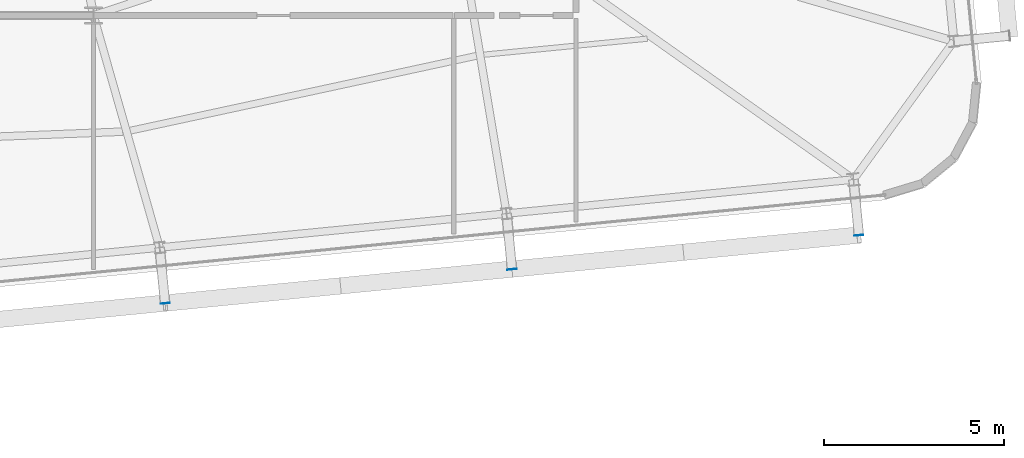
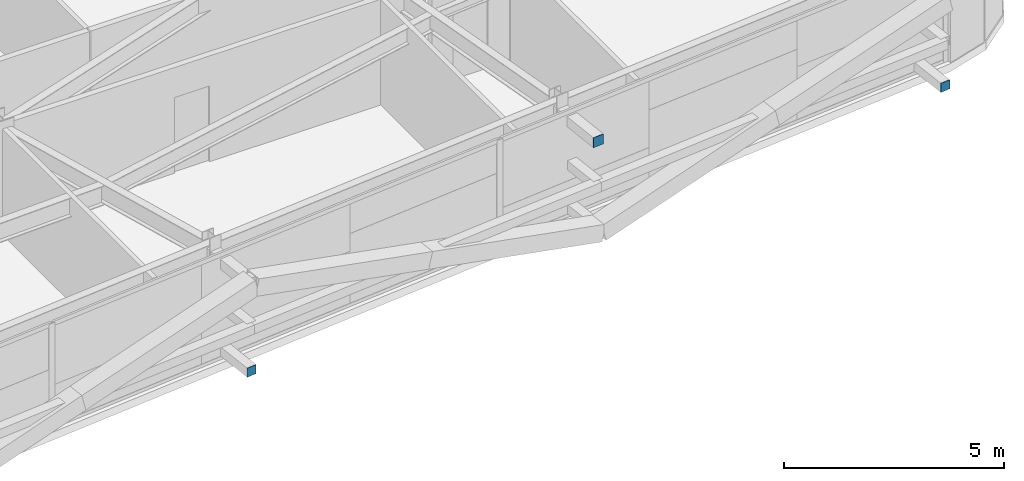
# One storey, part 36 of 47: 3 plates.
"""IFC4 building model written with IfcOpenShell, lengths in metres."""

import ifcopenshell
import ifcopenshell.guid

model = None  # the IFC model being written
_history = None  # IfcOwnerHistory: only IFC2X3 demands one
_inside = {}  # id of a spatial element -> (the spatial element, [elements in it])
_under = {}  # id of a project, library or spatial element -> (it, [spatial elements below it])
_declared = {}  # id of a project -> (the project, [libraries it declares])
_typed = {}  # id of a type object -> (the type object, [elements of that type])
_made_of = {}  # id of a material, layer set ... -> (it, [elements and type objects made of it])


def new_model(schema):
    """Start an empty IFC model of exactly this schema.

    Asked for "IFC4X3", IfcOpenShell would pick the latest addendum, in which some entities
    have other attributes; the version numbers below select the first issue.
    IFC2X3 requires an IfcOwnerHistory on every rooted entity: one is made here for all.
    """
    global model, _history
    if schema == "IFC4X3":
        model = ifcopenshell.file(schema_version=(4, 3, 0, 0))
    else:
        model = ifcopenshell.file(schema=schema)
    _inside.clear()
    _under.clear()
    _declared.clear()
    _typed.clear()
    _made_of.clear()
    _history = None
    if model.schema == "IFC2X3":
        org = make("IfcOrganization", Name="unknown")
        user = make(
            "IfcPersonAndOrganization",
            ThePerson=make("IfcPerson", FamilyName="unknown"),
            TheOrganization=org,
        )
        app = make(
            "IfcApplication",
            ApplicationDeveloper=org,
            Version="unknown",
            ApplicationFullName="unknown",
            ApplicationIdentifier="unknown",
        )
        _history = make(
            "IfcOwnerHistory",
            OwningUser=user,
            OwningApplication=app,
            ChangeAction="ADDED",
            CreationDate=0,
        )
    return model


def make(cls, **values):
    """One entity of the class cls with the attributes given. An attribute that is None is left unset."""
    return model.create_entity(
        cls, **{name: value for name, value in values.items() if value is not None}
    )


def rooted(cls, **values):
    """An entity with a GlobalId (a new one), such as an element, a storey or a relation."""
    return make(cls, GlobalId=ifcopenshell.guid.new(), OwnerHistory=_history, **values)


def si_unit(unit_type, name, prefix=None):
    """IfcSIUnit, for example si_unit("LENGTHUNIT", "METRE", prefix="MILLI")."""
    return make("IfcSIUnit", UnitType=unit_type, Prefix=prefix, Name=name)


def assignment(units):
    """IfcUnitAssignment: the units of a project."""
    return None if units is None else make("IfcUnitAssignment", Units=units)


def point(xyz):
    """IfcCartesianPoint."""
    return None if xyz is None else make("IfcCartesianPoint", Coordinates=xyz)


def direction(xyz):
    """IfcDirection."""
    return None if xyz is None else make("IfcDirection", DirectionRatios=xyz)


def frame(location, z_axis=None, x_axis=None):
    """IfcAxis2Placement3D, a coordinate frame: its origin and axes. An axis left out is left unset."""
    return make(
        "IfcAxis2Placement3D",
        Location=point(location),
        Axis=direction(z_axis),
        RefDirection=direction(x_axis),
    )


def frame_2d(location, x_axis=None):
    """IfcAxis2Placement2D, a coordinate frame in the plane: its origin and x axis."""
    return make(
        "IfcAxis2Placement2D", Location=point(location), RefDirection=direction(x_axis)
    )


def origin():
    """The frame at (0, 0, 0) with its axes left unset."""
    return frame((0.0, 0.0, 0.0))


def origin_2d():
    """The frame at (0, 0) in the plane with its x axis left unset."""
    return frame_2d((0.0, 0.0))


def place(relative_to, where):
    """IfcLocalPlacement: puts the frame where relative to a parent placement (None: the world)."""
    return make(
        "IfcLocalPlacement", PlacementRelTo=relative_to, RelativePlacement=where
    )


def context(
    kind, dimensions, precision=None, world=None, true_north=None, identifier=None
):
    """IfcGeometricRepresentationContext, for example the 3D "Model" context."""
    return make(
        "IfcGeometricRepresentationContext",
        ContextIdentifier=identifier,
        ContextType=kind,
        CoordinateSpaceDimension=dimensions,
        Precision=precision,
        WorldCoordinateSystem=world,
        TrueNorth=true_north,
    )


def subcontext(parent, identifier, kind, view, scale=None):
    """IfcGeometricRepresentationSubContext, for example "Body" below "Model"."""
    return make(
        "IfcGeometricRepresentationSubContext",
        ContextIdentifier=identifier,
        ContextType=kind,
        ParentContext=parent,
        TargetScale=scale,
        TargetView=view,
    )


def project(units=None, contexts=None):
    """IfcProject with its units and contexts."""
    return rooted(
        "IfcProject",
        Name="project",
        RepresentationContexts=contexts,
        UnitsInContext=assignment(units),
    )


def spatial(cls, under=None, at=None, **own):
    """A site, building, storey or space (cls), placed at a placement, below another one or the project."""
    s = rooted(cls, ObjectPlacement=at, **own)
    if under is not None:
        _under.setdefault(under.id(), (under, []))[1].append(s)
    return s


def profile(cls, at=None, kind="AREA", **sizes):
    """A parametric profile (cls). Its sizes go by their IFC names, for example OverallWidth=200.0."""
    return make(cls, ProfileType=kind, Position=at, **sizes)


def rectangle(**sizes):
    """IfcRectangleProfileDef."""
    return profile("IfcRectangleProfileDef", **sizes)


def extrude(swept, where, along, depth):
    """IfcExtrudedAreaSolid: the profile swept, set in the frame where, extruded along a direction by depth."""
    return make(
        "IfcExtrudedAreaSolid",
        SweptArea=swept,
        Position=where,
        ExtrudedDirection=direction(along),
        Depth=depth,
    )


def shape(context_of_items, identifier, shape_type, items):
    """IfcShapeRepresentation: the items that make up one representation, for example the "Body"."""
    return make(
        "IfcShapeRepresentation",
        ContextOfItems=context_of_items,
        RepresentationIdentifier=identifier,
        RepresentationType=shape_type,
        Items=items,
    )


def source(mapping_origin, context_of_items, identifier, shape_type, items):
    """IfcRepresentationMap: a shape defined once, which mapped items show again and again."""
    return make(
        "IfcRepresentationMap",
        MappingOrigin=mapping_origin,
        MappedRepresentation=shape(context_of_items, identifier, shape_type, items),
    )


def transform(
    local_origin,
    x_axis=None,
    y_axis=None,
    z_axis=None,
    scale=None,
    scale2=None,
    scale3=None,
    uniform=True,
):
    """IfcCartesianTransformationOperator3D, or its non-uniform kind. x_axis, y_axis, z_axis: its Axis1, 2, 3."""
    if uniform:
        return make(
            "IfcCartesianTransformationOperator3D",
            Axis1=direction(x_axis),
            Axis2=direction(y_axis),
            LocalOrigin=point(local_origin),
            Scale=scale,
            Axis3=direction(z_axis),
        )
    return make(
        "IfcCartesianTransformationOperator3DnonUniform",
        Axis1=direction(x_axis),
        Axis2=direction(y_axis),
        LocalOrigin=point(local_origin),
        Scale=scale,
        Axis3=direction(z_axis),
        Scale2=scale2,
        Scale3=scale3,
    )


def mapped(mapping_source, mapping_target):
    """IfcMappedItem: shows the shape of a source again, moved by a transform."""
    return make(
        "IfcMappedItem", MappingSource=mapping_source, MappingTarget=mapping_target
    )


def material(Name=None, Category=None):
    """IfcMaterial."""
    return make("IfcMaterial", Name=Name, Category=Category)


def layer(
    of_material, thickness, ventilated=None, Name=None, Category=None, Priority=None
):
    """IfcMaterialLayer: one layer of a wall or slab, of a material (None: an air gap)."""
    return make(
        "IfcMaterialLayer",
        Material=of_material,
        LayerThickness=thickness,
        IsVentilated=ventilated,
        Name=Name,
        Category=Category,
        Priority=Priority,
    )


def layer_set(layers, Name=None):
    """IfcMaterialLayerSet."""
    return make("IfcMaterialLayerSet", MaterialLayers=layers, LayerSetName=Name)


def made_of(thing, what):
    """Note that an element or type object is made of a material, layer set ...; save() writes the relation."""
    if what is not None:
        _made_of.setdefault(what.id(), (what, []))[1].append(thing)
    return thing


def type_object(cls, material=None, **own):
    """A type object (cls), such as IfcWallType, which elements share."""
    return made_of(rooted(cls, **own), material)


def element(
    cls,
    number,
    at=None,
    inside=None,
    cuts=None,
    type_object=None,
    material=None,
    context=None,
    identifier="Body",
    shape_type=None,
    held_by="IfcProductDefinitionShape",
    body=None,
    shapes=None,
    **own,
):
    """One element of the class cls, such as IfcWall. Its Tag is "e" and its number.

    at: its placement. inside: the storey or other place that contains it. cuts: it is an
    opening in that element (IfcRelVoidsElement). A single representation is given by context,
    identifier, shape_type and body (its items); several are given by shapes. held_by: the class
    of the entity that holds the representations. save() writes the other relations.
    """
    e = rooted(cls, Tag="e%d" % number, ObjectPlacement=at, **own)
    if body is not None:
        shapes = [shape(context, identifier, shape_type, body)]
    if shapes is not None:
        e.Representation = make(held_by, Representations=shapes)
    if inside is not None:
        _inside.setdefault(inside.id(), (inside, []))[1].append(e)
    if cuts is not None:
        rooted(
            "IfcRelVoidsElement", RelatingBuildingElement=cuts, RelatedOpeningElement=e
        )
    if type_object is not None:
        _typed.setdefault(type_object.id(), (type_object, []))[1].append(e)
    return made_of(e, material)


def aggregate(whole, parts):
    """IfcRelAggregates: a whole, such as a stair, and the parts it consists of."""
    return rooted("IfcRelAggregates", RelatingObject=whole, RelatedObjects=parts)


def save(model, path):
    """Write the relations noted so far, then the file.

    IfcRelAggregates (storeys below a building ...), IfcRelContainedInSpatialStructure (elements
    in a storey), IfcRelDefinesByType, IfcRelAssociatesMaterial and IfcRelDeclares: one each for
    every whole, place, type object, material and project.
    """
    for whole, parts in _under.values():
        aggregate(whole, parts)
    for where, things in _inside.values():
        rooted(
            "IfcRelContainedInSpatialStructure",
            RelatedElements=things,
            RelatingStructure=where,
        )
    for kind, things in _typed.values():
        rooted("IfcRelDefinesByType", RelatedObjects=things, RelatingType=kind)
    for what, things in _made_of.values():
        rooted("IfcRelAssociatesMaterial", RelatedObjects=things, RelatingMaterial=what)
    for by, libraries in _declared.values():
        rooted("IfcRelDeclares", RelatingContext=by, RelatedDefinitions=libraries)
    model.write(path)


model = new_model("IFC4")

# Units and contexts
model_context = context("Model", 3, precision=1e-05, world=origin(), true_north=direction((0.0, 1.0)))
body_context = subcontext(model_context, "Body", "Model", "MODEL_VIEW")
ifc_project = project(units=[si_unit("LENGTHUNIT", "METRE"), si_unit("AREAUNIT", "SQUARE_METRE"), si_unit("VOLUMEUNIT", "CUBIC_METRE"), si_unit("PLANEANGLEUNIT", "RADIAN"), si_unit("MASSUNIT", "GRAM", prefix="KILO")], contexts=[model_context])

# Site, building, storey
site_placement = place(None, origin())
site = spatial("IfcSite", under=ifc_project, at=site_placement, CompositionType="ELEMENT")
building_placement = place(site_placement, origin())
building = spatial("IfcBuilding", under=site, at=building_placement, Name="Taldren Reach Tower", CompositionType="ELEMENT")
storey_placement = place(building_placement, frame((0.0, 0.0, 106.050048828125)))
storey = spatial("IfcBuildingStorey", under=building, at=storey_placement, Name="L32", CompositionType="ELEMENT", Elevation=106.050048828125)

# Plates
ifc_material_1 = material(Name="Steel Gr 450 (C450L0)", Category="steel")
ifc_layer_1 = layer(ifc_material_1, 0.011962890625)
ifc_layer_set_1 = layer_set([ifc_layer_1], Name="Steel Gr 450 (C450L0)")
plate_type_1 = type_object("IfcPlateType", Name="PL-CAP-275", PredefinedType="SHEET", material=ifc_layer_set_1)
shared_shape_1 = source(origin(), body_context, "Body", "SweptSolid", [
    extrude(rectangle(XDim=0.27490234375, YDim=0.011962890625, at=origin_2d()), origin(), (0.0, 0.0, 1.0), 0.27490234375),
])
plate_placement = place(storey_placement, frame((53.62109375, 2.14990234375, 2.512451171875), z_axis=(0.0, 0.0, 1.0), x_axis=(0.995227399982, 0.097582899759, 0.0)))
element("IfcPlate", 1, at=plate_placement, inside=storey, type_object=plate_type_1, Name="Tie strut end cap plate B2-S5 L32", PredefinedType="SHEET", context=body_context, shape_type="MappedRepresentation", body=[
    mapped(shared_shape_1, transform((0.0, 0.0, 0.0), scale=1.0)),
])
ifc_material_2 = material(Name="Steel Gr 350 (C350L0)", Category="steel")
ifc_layer_2 = layer(ifc_material_2, 0.011962890625)
ifc_layer_set_2 = layer_set([ifc_layer_2], Name="Steel Gr 350 (C350L0)")
plate_type_2 = type_object("IfcPlateType", Name="PL-CAP-250", PredefinedType="SHEET", material=ifc_layer_set_2)
shared_shape_2 = source(origin(), body_context, "Body", "SweptSolid", [
    extrude(rectangle(XDim=0.25, YDim=0.011962890625, at=origin_2d()), origin(), (0.0, 0.0, 1.0), 0.25),
])
for number, where, z_axis, x_axis, name in (
    (2, (43.9873046875, 1.205322265625, 0.094970703125), (0.0, 0.0, 1.0), (0.995227399982, 0.097582899759, 0.0), "Tie strut end cap plate B2-S4 L32"),
    (3, (63.255126953125, 3.094482421875, 0.094970703125), (0.0, 0.0, 1.0), (0.995227399982, 0.097582899759, 0.0), "Tie strut end cap plate B2-S6 L32"),
):
    element("IfcPlate", number, at=place(storey_placement, frame(where, z_axis=z_axis, x_axis=x_axis)), inside=storey, type_object=plate_type_2, Name=name, PredefinedType="SHEET", context=body_context, shape_type="MappedRepresentation", body=[
        mapped(shared_shape_2, transform((0.0, 0.0, 0.0), scale=1.0)),
    ])

save(model, "model.ifc")
